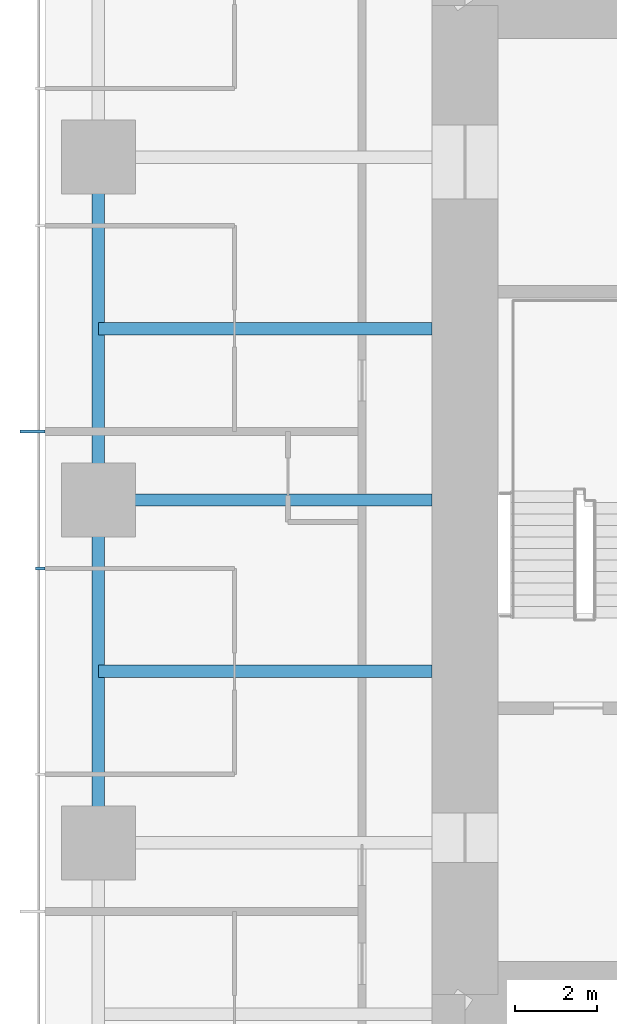
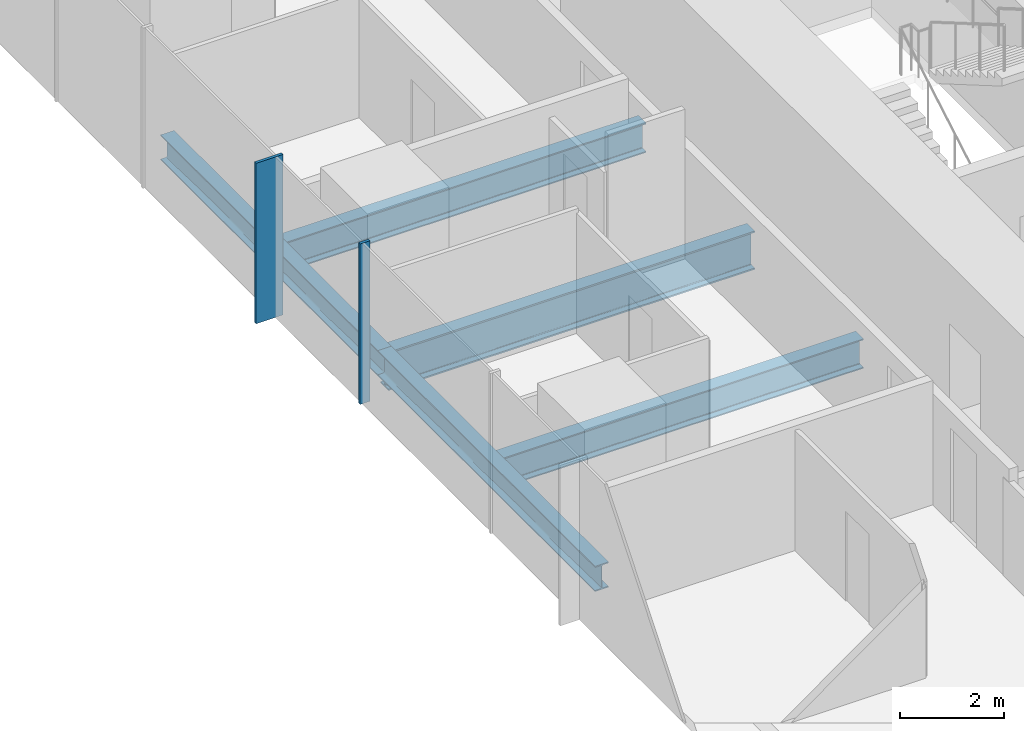
# One storey, part 3 of 13: 5 beams, 2 members, 1 element without a shape of its own.
"""IFC4 building model written with IfcOpenShell, lengths in metres."""

import ifcopenshell
import ifcopenshell.guid

model = None  # the IFC model being written
_history = None  # IfcOwnerHistory: only IFC2X3 demands one
_inside = {}  # id of a spatial element -> (the spatial element, [elements in it])
_under = {}  # id of a project, library or spatial element -> (it, [spatial elements below it])
_declared = {}  # id of a project -> (the project, [libraries it declares])
_typed = {}  # id of a type object -> (the type object, [elements of that type])
_made_of = {}  # id of a material, layer set ... -> (it, [elements and type objects made of it])


def new_model(schema):
    """Start an empty IFC model of exactly this schema.

    Asked for "IFC4X3", IfcOpenShell would pick the latest addendum, in which some entities
    have other attributes; the version numbers below select the first issue.
    IFC2X3 requires an IfcOwnerHistory on every rooted entity: one is made here for all.
    """
    global model, _history
    if schema == "IFC4X3":
        model = ifcopenshell.file(schema_version=(4, 3, 0, 0))
    else:
        model = ifcopenshell.file(schema=schema)
    _inside.clear()
    _under.clear()
    _declared.clear()
    _typed.clear()
    _made_of.clear()
    _history = None
    if model.schema == "IFC2X3":
        org = make("IfcOrganization", Name="unknown")
        user = make(
            "IfcPersonAndOrganization",
            ThePerson=make("IfcPerson", FamilyName="unknown"),
            TheOrganization=org,
        )
        app = make(
            "IfcApplication",
            ApplicationDeveloper=org,
            Version="unknown",
            ApplicationFullName="unknown",
            ApplicationIdentifier="unknown",
        )
        _history = make(
            "IfcOwnerHistory",
            OwningUser=user,
            OwningApplication=app,
            ChangeAction="ADDED",
            CreationDate=0,
        )
    return model


def make(cls, **values):
    """One entity of the class cls with the attributes given. An attribute that is None is left unset."""
    return model.create_entity(
        cls, **{name: value for name, value in values.items() if value is not None}
    )


def rooted(cls, **values):
    """An entity with a GlobalId (a new one), such as an element, a storey or a relation."""
    return make(cls, GlobalId=ifcopenshell.guid.new(), OwnerHistory=_history, **values)


def si_unit(unit_type, name, prefix=None):
    """IfcSIUnit, for example si_unit("LENGTHUNIT", "METRE", prefix="MILLI")."""
    return make("IfcSIUnit", UnitType=unit_type, Prefix=prefix, Name=name)


def assignment(units):
    """IfcUnitAssignment: the units of a project."""
    return None if units is None else make("IfcUnitAssignment", Units=units)


def point(xyz):
    """IfcCartesianPoint."""
    return None if xyz is None else make("IfcCartesianPoint", Coordinates=xyz)


def direction(xyz):
    """IfcDirection."""
    return None if xyz is None else make("IfcDirection", DirectionRatios=xyz)


def frame(location, z_axis=None, x_axis=None):
    """IfcAxis2Placement3D, a coordinate frame: its origin and axes. An axis left out is left unset."""
    return make(
        "IfcAxis2Placement3D",
        Location=point(location),
        Axis=direction(z_axis),
        RefDirection=direction(x_axis),
    )


def frame_2d(location, x_axis=None):
    """IfcAxis2Placement2D, a coordinate frame in the plane: its origin and x axis."""
    return make(
        "IfcAxis2Placement2D", Location=point(location), RefDirection=direction(x_axis)
    )


def origin():
    """The frame at (0, 0, 0) with its axes left unset."""
    return frame((0.0, 0.0, 0.0))


def origin_2d():
    """The frame at (0, 0) in the plane with its x axis left unset."""
    return frame_2d((0.0, 0.0))


def place(relative_to, where):
    """IfcLocalPlacement: puts the frame where relative to a parent placement (None: the world)."""
    return make(
        "IfcLocalPlacement", PlacementRelTo=relative_to, RelativePlacement=where
    )


def context(
    kind, dimensions, precision=None, world=None, true_north=None, identifier=None
):
    """IfcGeometricRepresentationContext, for example the 3D "Model" context."""
    return make(
        "IfcGeometricRepresentationContext",
        ContextIdentifier=identifier,
        ContextType=kind,
        CoordinateSpaceDimension=dimensions,
        Precision=precision,
        WorldCoordinateSystem=world,
        TrueNorth=true_north,
    )


def subcontext(parent, identifier, kind, view, scale=None):
    """IfcGeometricRepresentationSubContext, for example "Body" below "Model"."""
    return make(
        "IfcGeometricRepresentationSubContext",
        ContextIdentifier=identifier,
        ContextType=kind,
        ParentContext=parent,
        TargetScale=scale,
        TargetView=view,
    )


def project(units=None, contexts=None):
    """IfcProject with its units and contexts."""
    return rooted(
        "IfcProject",
        Name="project",
        RepresentationContexts=contexts,
        UnitsInContext=assignment(units),
    )


def spatial(cls, under=None, at=None, **own):
    """A site, building, storey or space (cls), placed at a placement, below another one or the project."""
    s = rooted(cls, ObjectPlacement=at, **own)
    if under is not None:
        _under.setdefault(under.id(), (under, []))[1].append(s)
    return s


def profile(cls, at=None, kind="AREA", **sizes):
    """A parametric profile (cls). Its sizes go by their IFC names, for example OverallWidth=200.0."""
    return make(cls, ProfileType=kind, Position=at, **sizes)


def rectangle(**sizes):
    """IfcRectangleProfileDef."""
    return profile("IfcRectangleProfileDef", **sizes)


def i_section(**sizes):
    """IfcIShapeProfileDef."""
    return profile("IfcIShapeProfileDef", **sizes)


def extrude(swept, where, along, depth):
    """IfcExtrudedAreaSolid: the profile swept, set in the frame where, extruded along a direction by depth."""
    return make(
        "IfcExtrudedAreaSolid",
        SweptArea=swept,
        Position=where,
        ExtrudedDirection=direction(along),
        Depth=depth,
    )


def shape(context_of_items, identifier, shape_type, items):
    """IfcShapeRepresentation: the items that make up one representation, for example the "Body"."""
    return make(
        "IfcShapeRepresentation",
        ContextOfItems=context_of_items,
        RepresentationIdentifier=identifier,
        RepresentationType=shape_type,
        Items=items,
    )


def material(Name=None, Category=None):
    """IfcMaterial."""
    return make("IfcMaterial", Name=Name, Category=Category)


def material_profile(
    of_material, cross_section, Name=None, Category=None, Priority=None
):
    """IfcMaterialProfile: a cross section and its material."""
    return make(
        "IfcMaterialProfile",
        Name=Name,
        Material=of_material,
        Profile=cross_section,
        Priority=Priority,
        Category=Category,
    )


def profile_set(profiles, Name=None, composite=None):
    """IfcMaterialProfileSet."""
    return make(
        "IfcMaterialProfileSet",
        Name=Name,
        MaterialProfiles=profiles,
        CompositeProfile=composite,
    )


def made_of(thing, what):
    """Note that an element or type object is made of a material, layer set ...; save() writes the relation."""
    if what is not None:
        _made_of.setdefault(what.id(), (what, []))[1].append(thing)
    return thing


def type_object(cls, material=None, **own):
    """A type object (cls), such as IfcWallType, which elements share."""
    return made_of(rooted(cls, **own), material)


def element(
    cls,
    number,
    at=None,
    inside=None,
    cuts=None,
    type_object=None,
    material=None,
    context=None,
    identifier="Body",
    shape_type=None,
    held_by="IfcProductDefinitionShape",
    body=None,
    shapes=None,
    **own,
):
    """One element of the class cls, such as IfcWall. Its Tag is "e" and its number.

    at: its placement. inside: the storey or other place that contains it. cuts: it is an
    opening in that element (IfcRelVoidsElement). A single representation is given by context,
    identifier, shape_type and body (its items); several are given by shapes. held_by: the class
    of the entity that holds the representations. save() writes the other relations.
    """
    e = rooted(cls, Tag="e%d" % number, ObjectPlacement=at, **own)
    if body is not None:
        shapes = [shape(context, identifier, shape_type, body)]
    if shapes is not None:
        e.Representation = make(held_by, Representations=shapes)
    if inside is not None:
        _inside.setdefault(inside.id(), (inside, []))[1].append(e)
    if cuts is not None:
        rooted(
            "IfcRelVoidsElement", RelatingBuildingElement=cuts, RelatedOpeningElement=e
        )
    if type_object is not None:
        _typed.setdefault(type_object.id(), (type_object, []))[1].append(e)
    return made_of(e, material)


def aggregate(whole, parts):
    """IfcRelAggregates: a whole, such as a stair, and the parts it consists of."""
    return rooted("IfcRelAggregates", RelatingObject=whole, RelatedObjects=parts)


def save(model, path):
    """Write the relations noted so far, then the file.

    IfcRelAggregates (storeys below a building ...), IfcRelContainedInSpatialStructure (elements
    in a storey), IfcRelDefinesByType, IfcRelAssociatesMaterial and IfcRelDeclares: one each for
    every whole, place, type object, material and project.
    """
    for whole, parts in _under.values():
        aggregate(whole, parts)
    for where, things in _inside.values():
        rooted(
            "IfcRelContainedInSpatialStructure",
            RelatedElements=things,
            RelatingStructure=where,
        )
    for kind, things in _typed.values():
        rooted("IfcRelDefinesByType", RelatedObjects=things, RelatingType=kind)
    for what, things in _made_of.values():
        rooted("IfcRelAssociatesMaterial", RelatedObjects=things, RelatingMaterial=what)
    for by, libraries in _declared.values():
        rooted("IfcRelDeclares", RelatingContext=by, RelatedDefinitions=libraries)
    model.write(path)


model = new_model("IFC4")

# Units and contexts
model_context = context("Model", 3, precision=1e-05, world=origin(), true_north=direction((0.0, 1.0)))
body_context = subcontext(model_context, "Body", "Model", "MODEL_VIEW")
ifc_project = project(units=[si_unit("LENGTHUNIT", "METRE"), si_unit("AREAUNIT", "SQUARE_METRE"), si_unit("VOLUMEUNIT", "CUBIC_METRE"), si_unit("PLANEANGLEUNIT", "RADIAN"), si_unit("MASSUNIT", "GRAM", prefix="KILO")], contexts=[model_context])

# Site, building, storey
site_placement = place(None, origin())
site = spatial("IfcSite", under=ifc_project, at=site_placement, CompositionType="ELEMENT")
building_placement = place(site_placement, origin())
building = spatial("IfcBuilding", under=site, at=building_placement, Name="Khuree Lantern Residences", CompositionType="ELEMENT")
storey_placement = place(building_placement, frame((0.0, 0.0, 252.0)))
storey = spatial("IfcBuildingStorey", under=building, at=storey_placement, Name="L63", CompositionType="ELEMENT", Elevation=252.0)

# Beams
ifc_material_1 = material(Name="Steel S355", Category="steel")
ifc_material_profile_1 = material_profile(ifc_material_1, i_section(OverallWidth=0.300048828125, OverallDepth=0.68994140625, WebThickness=0.014404296875, FlangeThickness=0.027099609375, FilletRadius=0.027099609375, at=origin_2d()), Name="HE 700 A")
ifc_profile_set_1 = profile_set([ifc_material_profile_1], Name="Steel S355")
beam_type_1 = type_object("IfcBeamType", Name="B-34 SECONDARY BEAM HE 700 A", PredefinedType="BEAM", material=ifc_profile_set_1)
for number, where, z_axis, x_axis, name in (
    (1, (-24.39990234375, -4.159912109375, -0.594970703125), (1.0, 0.0, 0.0), (0.0, 1.0, 0.0), "Secondary beam W3"),
    (2, (-24.39990234375, 4.159912109375, -0.594970703125), (1.0, 0.0, 0.0), (0.0, 1.0, 0.0), "Secondary beam W4"),
):
    element("IfcBeam", number, at=place(storey_placement, frame(where, z_axis=z_axis, x_axis=x_axis)), inside=storey, type_object=beam_type_1, Name=name, PredefinedType="BEAM", context=body_context, shape_type="SweptSolid", body=[
        extrude(i_section(OverallWidth=0.300048828125, OverallDepth=0.68994140625, WebThickness=0.014404296875, FlangeThickness=0.027099609375, FilletRadius=0.027099609375, at=origin_2d()), origin(), (0.0, 0.0, 1.0), 8.099853515625),
    ])
ifc_material_profile_2 = material_profile(ifc_material_1, i_section(OverallWidth=0.300048828125, OverallDepth=0.590087890625, WebThickness=0.012939453125, FlangeThickness=0.02490234375, FilletRadius=0.027099609375, at=origin_2d()), Name="HE 600 A")
ifc_profile_set_2 = profile_set([ifc_material_profile_2], Name="Steel S355")
beam_type_2 = type_object("IfcBeamType", Name="E-34 SPANDREL BEAM HE 600 A", PredefinedType="SPANDREL", material=ifc_profile_set_2)
for number, where, z_axis, x_axis, name in (
    (3, (-24.39990234375, -8.320068359375, -0.544921875), (0.0, 1.0, 0.0), (-1.0, 0.0, 0.0), "Spandrel beam W3"),
    (4, (-24.39990234375, 0.0, -0.544921875), (0.0, 1.0, 0.0), (-1.0, 0.0, 0.0), "Spandrel beam W4"),
):
    element("IfcBeam", number, at=place(storey_placement, frame(where, z_axis=z_axis, x_axis=x_axis)), inside=storey, type_object=beam_type_2, Name=name, PredefinedType="SPANDREL", context=body_context, shape_type="SweptSolid", body=[
        extrude(i_section(OverallWidth=0.300048828125, OverallDepth=0.590087890625, WebThickness=0.012939453125, FlangeThickness=0.02490234375, FilletRadius=0.027099609375, at=origin_2d()), origin(), (0.0, 0.0, 1.0), 8.320068359375),
    ])

# Curtain wall, member
ifc_material_2 = material(Name="Bronze anodised aluminium", Category="aluminium")
curtain_wall_type = type_object("IfcCurtainWallType", Name="CW-T1 TOWER FACE CURTAIN WALL", PredefinedType="USERDEFINED", material=ifc_material_2)
curtain_wall_placement = place(storey_placement, origin())
curtain_wall = element("IfcCurtainWall", 5, at=curtain_wall_placement, inside=storey, type_object=curtain_wall_type, Name="L63 WEST FACE CURTAIN WALL", ObjectType="Stick-built curtain wall", PredefinedType="USERDEFINED")
ifc_material_profile_3 = material_profile(ifc_material_2, rectangle(XDim=0.06494140625, YDim=0.60009765625, at=origin_2d()), Name="F1 65X600")
ifc_profile_set_3 = profile_set([ifc_material_profile_3], Name="Bronze anodised aluminium")
member_type_1 = type_object("IfcMemberType", Name="F1 BRONZE FIN MULLION TOWER 65X600", PredefinedType="MULLION", material=ifc_profile_set_3)
member_1_placement = place(storey_placement, frame((-26.0, 1.6640625, 0.0), z_axis=(0.0, 0.0, 1.0), x_axis=(0.0, -1.0, 0.0)))
member_1 = element("IfcMember", 6, at=member_1_placement, type_object=member_type_1, Name="L63 WEST FACE FIN MULLION 37", PredefinedType="MULLION", context=body_context, shape_type="SweptSolid", body=[
    extrude(rectangle(XDim=0.06494140625, YDim=0.60009765625, at=origin_2d()), origin(), (0.0, 0.0, 1.0), 3.75),
])

# Beam
ifc_material_profile_4 = material_profile(ifc_material_1, i_section(OverallWidth=0.300048828125, OverallDepth=0.89990234375, WebThickness=0.0185546875, FlangeThickness=0.034912109375, FilletRadius=0.030029296875, at=origin_2d()), Name="HE 900 B")
ifc_profile_set_4 = profile_set([ifc_material_profile_4], Name="Steel S355")
beam_type_3 = type_object("IfcBeamType", Name="G-34 GIRDER HE 900 B", PredefinedType="BEAM", material=ifc_profile_set_4)
beam_placement = place(storey_placement, frame((-24.39990234375, 0.0, -0.699951171875), z_axis=(1.0, 0.0, 0.0), x_axis=(0.0, 1.0, 0.0)))
element("IfcBeam", 7, at=beam_placement, inside=storey, type_object=beam_type_3, Name="Girder W3", PredefinedType="BEAM", context=body_context, shape_type="SweptSolid", body=[
    extrude(i_section(OverallWidth=0.300048828125, OverallDepth=0.89990234375, WebThickness=0.0185546875, FlangeThickness=0.034912109375, FilletRadius=0.030029296875, at=origin_2d()), origin(), (0.0, 0.0, 1.0), 8.099853515625),
])

# Member
ifc_material_profile_5 = material_profile(ifc_material_2, rectangle(XDim=0.06494140625, YDim=0.219970703125, at=origin_2d()), Name="M1 65X220")
ifc_profile_set_5 = profile_set([ifc_material_profile_5], Name="Bronze anodised aluminium")
member_type_2 = type_object("IfcMemberType", Name="M1 BRONZE MULLION TOWER 65X220", PredefinedType="MULLION", material=ifc_profile_set_5)
member_2_placement = place(storey_placement, frame((-25.81005859375, -1.6640625, 0.0), z_axis=(0.0, 0.0, 1.0), x_axis=(0.0, -1.0, 0.0)))
member_2 = element("IfcMember", 8, at=member_2_placement, type_object=member_type_2, Name="L63 WEST FACE MULLION 38", PredefinedType="MULLION", context=body_context, shape_type="SweptSolid", body=[
    extrude(rectangle(XDim=0.06494140625, YDim=0.219970703125, at=origin_2d()), origin(), (0.0, 0.0, 1.0), 3.75),
])

aggregate(curtain_wall, [member_1, member_2])

save(model, "model.ifc")
